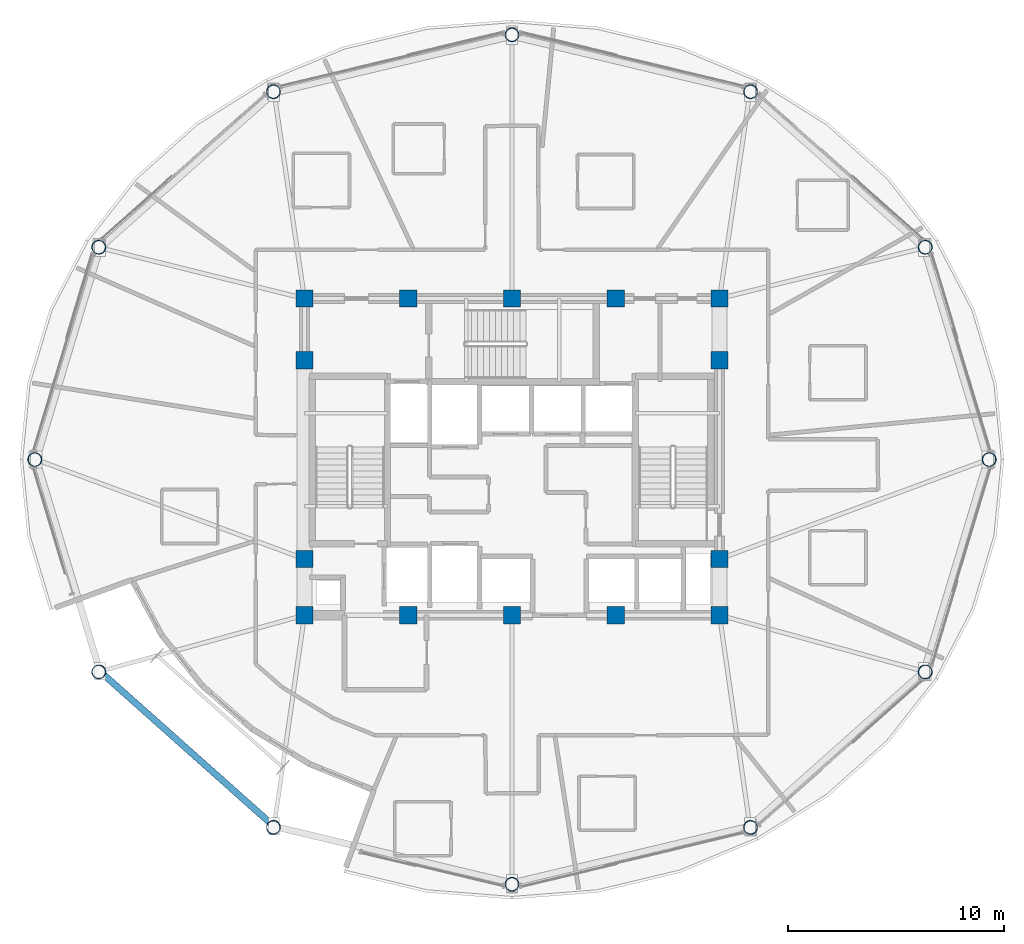
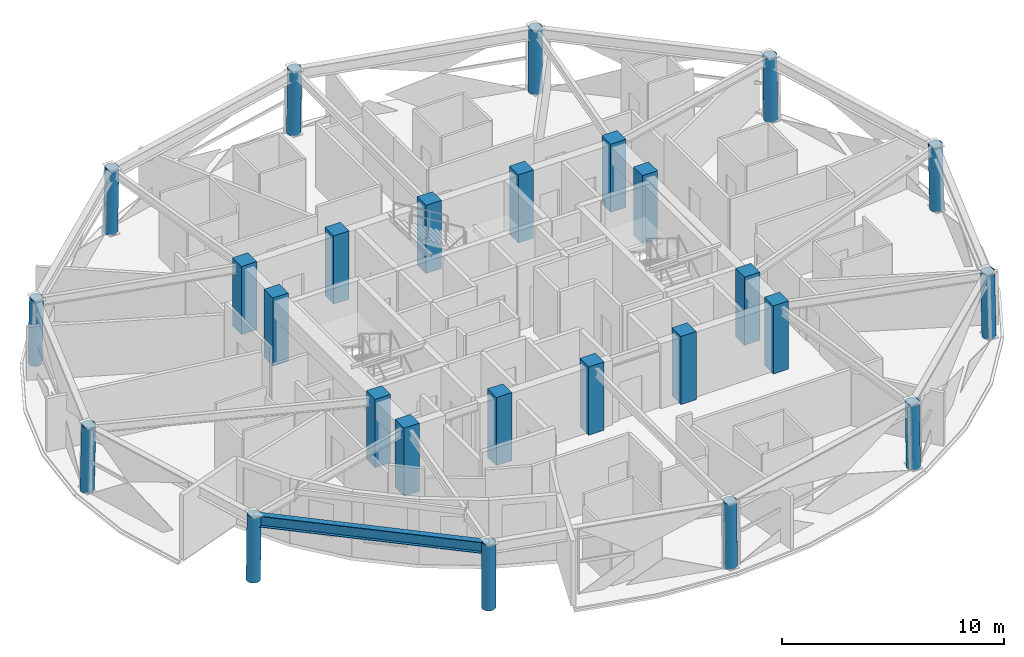
# One storey, part 1 of 18: 26 columns, 1 beam.
"""IFC4 building model written with IfcOpenShell, lengths in metres."""

from ifc_helpers import new_model, si_unit, direction, frame, origin, origin_2d, place, context, subcontext, project, spatial, rectangle, hollow_circle, i_section, extrude, material, material_profile, profile_set, type_object, element, save


model = new_model("IFC4")

# Units and contexts
model_context = context("Model", 3, precision=1e-05, world=origin(), true_north=direction((0.0, 1.0)))
body_context = subcontext(model_context, "Body", "Model", "MODEL_VIEW")
ifc_project = project(units=[si_unit("LENGTHUNIT", "METRE"), si_unit("AREAUNIT", "SQUARE_METRE"), si_unit("VOLUMEUNIT", "CUBIC_METRE"), si_unit("PLANEANGLEUNIT", "RADIAN"), si_unit("MASSUNIT", "GRAM", prefix="KILO")], contexts=[model_context])

# Site, building, storey
site_placement = place(None, origin())
site = spatial("IfcSite", under=ifc_project, at=site_placement, CompositionType="ELEMENT")
building_placement = place(site_placement, origin())
building = spatial("IfcBuilding", under=site, at=building_placement, Name="Vantalir Tower", CompositionType="ELEMENT")
storey_placement = place(building_placement, frame((0.0, 0.0, 216.14990234375)))
storey = spatial("IfcBuildingStorey", under=building, at=storey_placement, Name="L54", CompositionType="ELEMENT", Elevation=216.14990234375)

# Columns
ifc_material_1 = material(Name="Concrete C50/60", Category="concrete")
ifc_material_profile_1 = material_profile(ifc_material_1, rectangle(XDim=0.800048828125, YDim=0.800048828125, at=origin_2d()), Name="Concrete C50/60")
ifc_profile_set_1 = profile_set([ifc_material_profile_1], Name="Concrete C50/60")
column_type_1 = type_object("IfcColumnType", Name="COL-CC-800", PredefinedType="COLUMN", material=ifc_profile_set_1)
for number, where, z_axis, x_axis, name in (
    (1, (21.89990234375, 17.800048828125, 0.0), (0.0, 0.0, 1.0), (1.0, 0.0, 0.0), "L54 Core Column CC01"),
    (2, (26.699951171875, 17.800048828125, 0.0), (0.0, 0.0, 1.0), (1.0, 0.0, 0.0), "L54 Core Column CC02"),
    (3, (31.5, 17.800048828125, 0.0), (0.0, 0.0, 1.0), (1.0, 0.0, 0.0), "L54 Core Column CC03"),
    (4, (36.300048828125, 17.800048828125, 0.0), (0.0, 0.0, 1.0), (1.0, 0.0, 0.0), "L54 Core Column CC04"),
    (5, (41.10009765625, 17.800048828125, 0.0), (0.0, 0.0, 1.0), (1.0, 0.0, 0.0), "L54 Core Column CC05"),
    (6, (21.89990234375, 20.39990234375, 0.0), (0.0, 0.0, 1.0), (1.0, 0.0, 0.0), "L54 Core Column CC06"),
    (7, (21.89990234375, 29.60009765625, 0.0), (0.0, 0.0, 1.0), (1.0, 0.0, 0.0), "L54 Core Column CC07"),
    (8, (41.10009765625, 20.39990234375, 0.0), (0.0, 0.0, 1.0), (1.0, 0.0, 0.0), "L54 Core Column CC08"),
    (9, (41.10009765625, 29.60009765625, 0.0), (0.0, 0.0, 1.0), (1.0, 0.0, 0.0), "L54 Core Column CC09"),
    (10, (21.89990234375, 32.449951171875, 0.0), (0.0, 0.0, 1.0), (1.0, 0.0, 0.0), "L54 Core Column CC10"),
    (11, (26.699951171875, 32.449951171875, 0.0), (0.0, 0.0, 1.0), (1.0, 0.0, 0.0), "L54 Core Column CC11"),
    (12, (31.5, 32.449951171875, 0.0), (0.0, 0.0, 1.0), (1.0, 0.0, 0.0), "L54 Core Column CC12"),
    (13, (36.300048828125, 32.449951171875, 0.0), (0.0, 0.0, 1.0), (1.0, 0.0, 0.0), "L54 Core Column CC13"),
    (14, (41.10009765625, 32.449951171875, 0.0), (0.0, 0.0, 1.0), (1.0, 0.0, 0.0), "L54 Core Column CC14"),
):
    element("IfcColumn", number, at=place(storey_placement, frame(where, z_axis=z_axis, x_axis=x_axis)), inside=storey, type_object=column_type_1, Name=name, PredefinedType="COLUMN", context=body_context, shape_type="SweptSolid", body=[
        extrude(rectangle(XDim=0.800048828125, YDim=0.800048828125, at=origin_2d()), origin(), (0.0, 0.0, 1.0), 3.75),
    ])
ifc_material_2 = material(Name="Steel S460", Category="steel")
ifc_material_profile_2 = material_profile(ifc_material_2, hollow_circle(Radius=0.324951171875, WallThickness=0.030029296875, at=origin_2d()), Name="Steel S460")
ifc_profile_set_2 = profile_set([ifc_material_profile_2], Name="Steel S460")
column_type_2 = type_object("IfcColumnType", Name="COL-RC-650", PredefinedType="COLUMN", material=ifc_profile_set_2)
for number, where, z_axis, x_axis, name in (
    (15, (53.5869140625, 25.0, 0.0), (-0.020716335519, 0.0, 0.999785393693), (0.0, -1.0, 0.0), "L54 Perimeter Ring Column RC01"),
    (16, (50.6279296875, 34.830078125, 0.0), (-0.017913386384, -0.008956693192, 0.999799424002), (0.4472135955, -0.894427191, 0.0), "L54 Perimeter Ring Column RC02"),
    (17, (42.5439453125, 42.027099609375, 0.0), (-0.010597834049, -0.015725818266, 0.999820176108), (0.829266427591, -0.558853462072, 0.0), "L54 Perimeter Ring Column RC03"),
):
    element("IfcColumn", number, at=place(storey_placement, frame(where, z_axis=z_axis, x_axis=x_axis)), inside=storey, type_object=column_type_2, Name=name, PredefinedType="COLUMN", context=body_context, shape_type="SweptSolid", body=[
        extrude(hollow_circle(Radius=0.324951171875, WallThickness=0.030029296875, at=origin_2d()), origin(), (0.0, 0.0, 1.0), 3.57080078125),
    ])
column_1_placement = place(storey_placement, frame((31.5, 44.660888671875, 0.0), z_axis=(0.0, -0.01818751295, 0.999834593507), x_axis=(1.0, 0.0, 0.0)))
element("IfcColumn", 18, at=column_1_placement, inside=storey, type_object=column_type_2, Name="L54 Perimeter Ring Column RC04", PredefinedType="COLUMN", context=body_context, shape_type="SweptSolid", body=[
    extrude(hollow_circle(Radius=0.324951171875, WallThickness=0.030029296875, at=origin_2d()), origin(), (0.0, 0.0, 1.0), 3.570556640625),
])
for number, where, z_axis, x_axis, name in (
    (19, (20.45703125, 42.027099609375, 0.0), (0.010324371096, -0.015725863258, 0.999823036635), (0.835943697406, 0.548815210036, 0.0), "L54 Perimeter Ring Column RC05"),
    (20, (12.3720703125, 34.830078125, 0.0), (0.017913386384, -0.008956693192, 0.999799424002), (0.4472135955, 0.894427191, 0.0), "L54 Perimeter Ring Column RC06"),
    (21, (9.4130859375, 25.0, 0.0), (0.020716335519, 0.0, 0.999785393693), (0.0, 1.0, 0.0), "L54 Perimeter Ring Column RC07"),
    (22, (12.3720703125, 15.169921875, 0.0), (0.017913386384, 0.008956693192, 0.999799424002), (-0.4472135955, 0.894427191, 0.0), "L54 Perimeter Ring Column RC08"),
    (23, (20.4560546875, 7.972900390625, 0.0), (0.010324371096, 0.015725863258, 0.999823036635), (-0.835943697406, 0.548815210036, 0.0), "L54 Perimeter Ring Column RC09"),
):
    element("IfcColumn", number, at=place(storey_placement, frame(where, z_axis=z_axis, x_axis=x_axis)), inside=storey, type_object=column_type_2, Name=name, PredefinedType="COLUMN", context=body_context, shape_type="SweptSolid", body=[
        extrude(hollow_circle(Radius=0.324951171875, WallThickness=0.030029296875, at=origin_2d()), origin(), (0.0, 0.0, 1.0), 3.57080078125),
    ])
column_2_placement = place(storey_placement, frame((31.5, 5.339111328125, 0.0), z_axis=(0.0, 0.01818751295, 0.999834593507), x_axis=(-1.0, 0.0, 0.0)))
element("IfcColumn", 24, at=column_2_placement, inside=storey, type_object=column_type_2, Name="L54 Perimeter Ring Column RC10", PredefinedType="COLUMN", context=body_context, shape_type="SweptSolid", body=[
    extrude(hollow_circle(Radius=0.324951171875, WallThickness=0.030029296875, at=origin_2d()), origin(), (0.0, 0.0, 1.0), 3.570556640625),
])
for number, where, z_axis, x_axis, name in (
    (25, (42.5439453125, 7.972900390625, 0.0), (-0.010597834049, 0.015725818266, 0.999820176108), (-0.829266427591, -0.558853462072, 0.0), "L54 Perimeter Ring Column RC11"),
    (26, (50.6279296875, 15.1689453125, 0.0), (-0.017913341834, 0.009230157052, 0.999796937575), (-0.458037839434, -0.888932695791, 0.0), "L54 Perimeter Ring Column RC12"),
):
    element("IfcColumn", number, at=place(storey_placement, frame(where, z_axis=z_axis, x_axis=x_axis)), inside=storey, type_object=column_type_2, Name=name, PredefinedType="COLUMN", context=body_context, shape_type="SweptSolid", body=[
        extrude(hollow_circle(Radius=0.324951171875, WallThickness=0.030029296875, at=origin_2d()), origin(), (0.0, 0.0, 1.0), 3.57080078125),
    ])

# Beam
ifc_material_profile_3 = material_profile(ifc_material_2, i_section(OverallWidth=0.306884765625, OverallDepth=0.6201171875, WebThickness=0.01416015625, FlangeThickness=0.023681640625, at=origin_2d()), Name="Steel S460")
ifc_profile_set_3 = profile_set([ifc_material_profile_3], Name="Steel S460")
beam_type = type_object("IfcBeamType", Name="BM-RG-610x305", PredefinedType="USERDEFINED", material=ifc_profile_set_3)
beam_placement = place(storey_placement, frame((12.43603515625, 15.201904296875, 3.260009765625), z_axis=(0.7468946348, -0.66494240691, 0.0), x_axis=(0.66494240691, 0.7468946348, 0.0)))
element("IfcBeam", 27, at=beam_placement, inside=storey, type_object=beam_type, Name="L54 Circumferential Ring Girder 08", ObjectType="GIRDER", PredefinedType="USERDEFINED", context=body_context, shape_type="SweptSolid", body=[
    extrude(i_section(OverallWidth=0.306884765625, OverallDepth=0.6201171875, WebThickness=0.01416015625, FlangeThickness=0.023681640625, at=origin_2d()), origin(), (0.0, 0.0, 1.0), 10.787109375),
])

save(model, "model.ifc")
